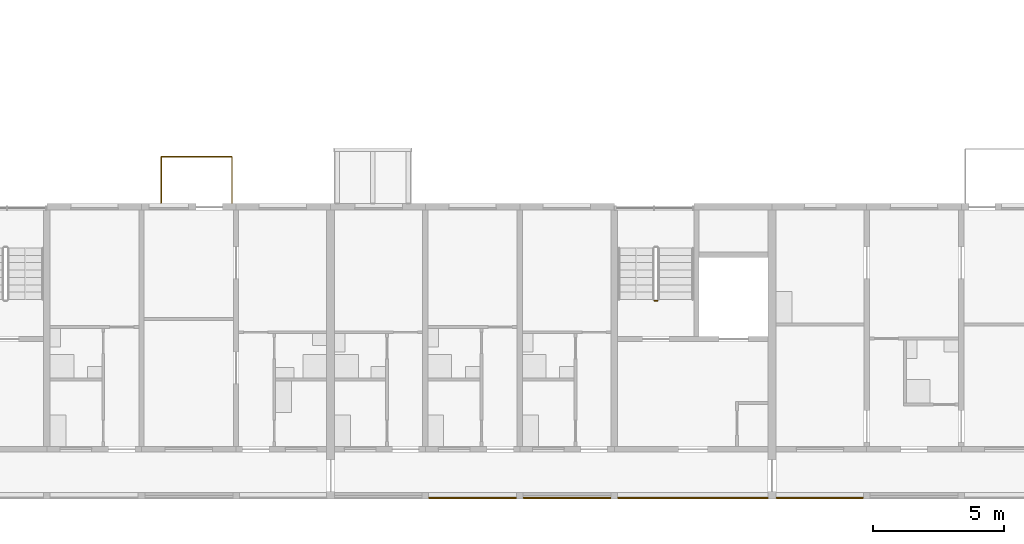
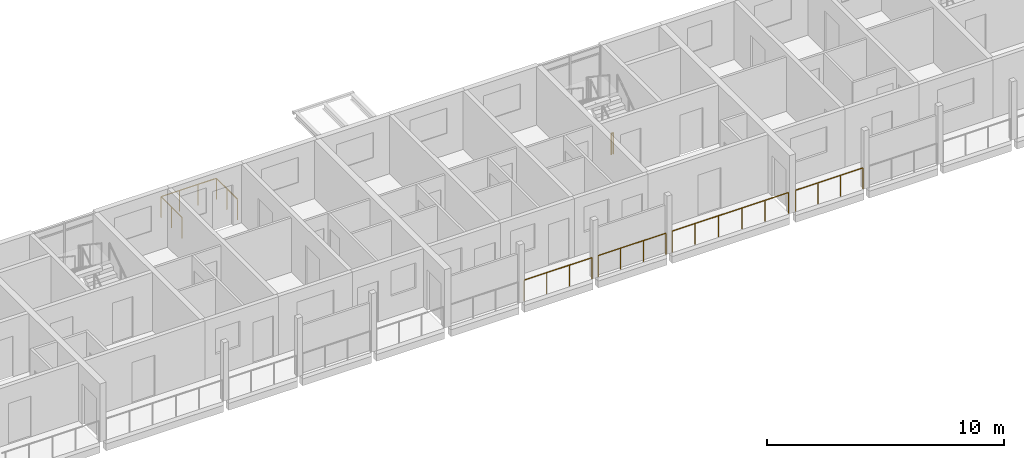
# One storey, part 84 of 94: 6 railings.
"""IFC4 building model written with IfcOpenShell, lengths in metres."""

from ifc_helpers import new_model, si_unit, direction, frame, origin, origin_2d, place, context, subcontext, project, spatial, circle, extrude, material, type_object, element, save


model = new_model("IFC4")

# Units and contexts
model_context = context("Model", 3, precision=1e-05, world=origin(), true_north=direction((0.0, 1.0)))
body_context = subcontext(model_context, "Body", "Model", "MODEL_VIEW")
ifc_project = project(units=[si_unit("LENGTHUNIT", "METRE"), si_unit("AREAUNIT", "SQUARE_METRE"), si_unit("VOLUMEUNIT", "CUBIC_METRE"), si_unit("PLANEANGLEUNIT", "RADIAN"), si_unit("MASSUNIT", "GRAM", prefix="KILO")], contexts=[model_context])

# Site, building, storey
site_placement = place(None, origin())
site = spatial("IfcSite", under=ifc_project, at=site_placement, CompositionType="ELEMENT")
building_placement = place(site_placement, origin())
building = spatial("IfcBuilding", under=site, at=building_placement, Name="Ridgestep Commons", CompositionType="ELEMENT")
storey_placement = place(building_placement, frame((0.0, 0.0, 24.0)))
storey = spatial("IfcBuildingStorey", under=building, at=storey_placement, Name="L08", CompositionType="ELEMENT", Elevation=24.0)

# Railings
ifc_material_1 = material(Name="Structural steel S355JR", Category="steel")
railing_type_1 = type_object("IfcRailingType", Name="Guard 1100", PredefinedType="GUARDRAIL", material=ifc_material_1)
railing_1_placement = place(storey_placement, frame((184.14599609375, 11.800048828125, 0.0)))
element("IfcRailing", 1, at=railing_1_placement, inside=storey, type_object=railing_type_1, Name="Gallery guard D 08.10", PredefinedType="GUARDRAIL", context=body_context, shape_type="SweptSolid", body=[
    extrude(circle(Radius=0.02392578125, at=origin_2d()), frame((0.0, 0.0, 1.076171875), z_axis=(1.0, 0.0, 0.0), x_axis=(0.0, 1.0, 0.0)), (0.0, 0.0, 1.0), 3.30810546875),
    extrude(circle(Radius=0.02099609375, at=origin_2d()), origin(), (0.0, 0.0, 1.0), 1.052001953125),
    extrude(circle(Radius=0.02099609375, at=origin_2d()), frame((1.102783203125, 0.0, 0.0)), (0.0, 0.0, 1.0), 1.052001953125),
    extrude(circle(Radius=0.02099609375, at=origin_2d()), frame((2.205322265625, 0.0, 0.0)), (0.0, 0.0, 1.0), 1.052001953125),
    extrude(circle(Radius=0.02099609375, at=origin_2d()), frame((3.30810546875, 0.0, 0.0)), (0.0, 0.0, 1.0), 1.052001953125),
])
railing_2_placement = place(storey_placement, frame((187.74609375, 11.800048828125, 0.0)))
element("IfcRailing", 2, at=railing_2_placement, inside=storey, type_object=railing_type_1, Name="Gallery guard D 08.11", PredefinedType="GUARDRAIL", context=body_context, shape_type="SweptSolid", body=[
    extrude(circle(Radius=0.02392578125, at=origin_2d()), frame((0.0, 0.0, 1.076171875), z_axis=(1.0, 0.0, 0.0), x_axis=(0.0, 1.0, 0.0)), (0.0, 0.0, 1.0), 3.307861328125),
    extrude(circle(Radius=0.02099609375, at=origin_2d()), origin(), (0.0, 0.0, 1.0), 1.052001953125),
    extrude(circle(Radius=0.02099609375, at=origin_2d()), frame((1.1025390625, 0.0, 0.0)), (0.0, 0.0, 1.0), 1.052001953125),
    extrude(circle(Radius=0.02099609375, at=origin_2d()), frame((2.205322265625, 0.0, 0.0)), (0.0, 0.0, 1.0), 1.052001953125),
    extrude(circle(Radius=0.02099609375, at=origin_2d()), frame((3.307861328125, 0.0, 0.0)), (0.0, 0.0, 1.0), 1.052001953125),
])
railing_3_placement = place(storey_placement, frame((191.345947265625, 11.800048828125, 0.0)))
element("IfcRailing", 3, at=railing_3_placement, inside=storey, type_object=railing_type_1, Name="Gallery guard D 08.12", PredefinedType="GUARDRAIL", context=body_context, shape_type="SweptSolid", body=[
    extrude(circle(Radius=0.02392578125, at=origin_2d()), frame((0.0, 0.0, 1.076171875), z_axis=(1.0, 0.0, 0.0), x_axis=(0.0, 1.0, 0.0)), (0.0, 0.0, 1.0), 5.68310546875),
    extrude(circle(Radius=0.02099609375, at=origin_2d()), origin(), (0.0, 0.0, 1.0), 1.052001953125),
    extrude(circle(Radius=0.02099609375, at=origin_2d()), frame((1.13671875, 0.0, 0.0)), (0.0, 0.0, 1.0), 1.052001953125),
    extrude(circle(Radius=0.02099609375, at=origin_2d()), frame((2.273193359375, 0.0, 0.0)), (0.0, 0.0, 1.0), 1.052001953125),
    extrude(circle(Radius=0.02099609375, at=origin_2d()), frame((3.409912109375, 0.0, 0.0)), (0.0, 0.0, 1.0), 1.052001953125),
    extrude(circle(Radius=0.02099609375, at=origin_2d()), frame((4.54638671875, 0.0, 0.0)), (0.0, 0.0, 1.0), 1.052001953125),
    extrude(circle(Radius=0.02099609375, at=origin_2d()), frame((5.68310546875, 0.0, 0.0)), (0.0, 0.0, 1.0), 1.052001953125),
])
railing_4_placement = place(storey_placement, frame((197.37109375, 11.800048828125, 0.0)))
element("IfcRailing", 4, at=railing_4_placement, inside=storey, type_object=railing_type_1, Name="Gallery guard D 08.13", PredefinedType="GUARDRAIL", context=body_context, shape_type="SweptSolid", body=[
    extrude(circle(Radius=0.02392578125, at=origin_2d()), frame((0.0, 0.0, 1.076171875), z_axis=(1.0, 0.0, 0.0), x_axis=(0.0, 1.0, 0.0)), (0.0, 0.0, 1.0), 3.282958984375),
    extrude(circle(Radius=0.02099609375, at=origin_2d()), origin(), (0.0, 0.0, 1.0), 1.052001953125),
    extrude(circle(Radius=0.02099609375, at=origin_2d()), frame((1.09423828125, 0.0, 0.0)), (0.0, 0.0, 1.0), 1.052001953125),
    extrude(circle(Radius=0.02099609375, at=origin_2d()), frame((2.188720703125, 0.0, 0.0)), (0.0, 0.0, 1.0), 1.052001953125),
    extrude(circle(Radius=0.02099609375, at=origin_2d()), frame((3.282958984375, 0.0, 0.0)), (0.0, 0.0, 1.0), 1.052001953125),
])
ifc_material_2 = material(Name="Structural steel S355JR", Category="steel")
railing_type_2 = type_object("IfcRailingType", Name="Stair guard 1100", PredefinedType="GUARDRAIL", material=ifc_material_2)
railing_5_placement = place(storey_placement, frame((192.824951171875, 19.300048828125, 0.0)))
element("IfcRailing", 5, at=railing_5_placement, inside=storey, type_object=railing_type_2, Name="L08 D3C stair guard 4", PredefinedType="GUARDRAIL", context=body_context, shape_type="SweptSolid", body=[
    extrude(circle(Radius=0.02392578125, at=origin_2d()), frame((0.0, 0.0, 1.076171875), z_axis=(-1.0, 0.0, 0.0), x_axis=(0.0, -1.0, 0.0)), (0.0, 0.0, 1.0), 0.099853515625),
    extrude(circle(Radius=0.02099609375, at=origin_2d()), origin(), (0.0, 0.0, 1.0), 1.052001953125),
    extrude(circle(Radius=0.02099609375, at=origin_2d()), frame((-0.099853515625, 0.0, 0.0)), (0.0, 0.0, 1.0), 1.052001953125),
])
ifc_material_3 = material(Name="Weathering steel S355J2W", Category="steel")
railing_type_3 = type_object("IfcRailingType", Name="Tray guard 1100", PredefinedType="GUARDRAIL", material=ifc_material_3)
railing_6_placement = place(storey_placement, frame((173.950927734375, 23.02099609375, 0.0)))
element("IfcRailing", 6, at=railing_6_placement, inside=storey, type_object=railing_type_3, Name="Tray guard D2T2-08", PredefinedType="GUARDRAIL", context=body_context, shape_type="SweptSolid", body=[
    extrude(circle(Radius=0.02392578125, at=origin_2d()), frame((0.0, 0.0, 1.076171875), z_axis=(0.0, 1.0, 0.0), x_axis=(-1.0, 0.0, 0.0)), (0.0, 0.0, 1.0), 1.758056640625),
    extrude(circle(Radius=0.02392578125, at=origin_2d()), frame((0.0, 1.758056640625, 1.076171875), z_axis=(1.0, 0.0, 0.0), x_axis=(0.0, 1.0, 0.0)), (0.0, 0.0, 1.0), 2.697998046875),
    extrude(circle(Radius=0.02392578125, at=origin_2d()), frame((2.697998046875, 1.758056640625, 1.076171875), z_axis=(0.0, -1.0, 0.0), x_axis=(1.0, 0.0, 0.0)), (0.0, 0.0, 1.0), 1.758056640625),
    extrude(circle(Radius=0.02099609375, at=origin_2d()), origin(), (0.0, 0.0, 1.0), 1.052001953125),
    extrude(circle(Radius=0.02099609375, at=origin_2d()), frame((0.0, 0.87890625, 0.0)), (0.0, 0.0, 1.0), 1.052001953125),
    extrude(circle(Radius=0.02099609375, at=origin_2d()), frame((0.0, 1.758056640625, 0.0)), (0.0, 0.0, 1.0), 1.052001953125),
    extrude(circle(Radius=0.02099609375, at=origin_2d()), frame((0.8994140625, 1.758056640625, 0.0)), (0.0, 0.0, 1.0), 1.052001953125),
    extrude(circle(Radius=0.02099609375, at=origin_2d()), frame((1.798583984375, 1.758056640625, 0.0)), (0.0, 0.0, 1.0), 1.052001953125),
    extrude(circle(Radius=0.02099609375, at=origin_2d()), frame((2.697998046875, 1.758056640625, 0.0)), (0.0, 0.0, 1.0), 1.052001953125),
    extrude(circle(Radius=0.02099609375, at=origin_2d()), frame((2.697998046875, 0.87890625, 0.0)), (0.0, 0.0, 1.0), 1.052001953125),
    extrude(circle(Radius=0.02099609375, at=origin_2d()), frame((2.697998046875, 0.0, 0.0)), (0.0, 0.0, 1.0), 1.052001953125),
])

save(model, "model.ifc")
